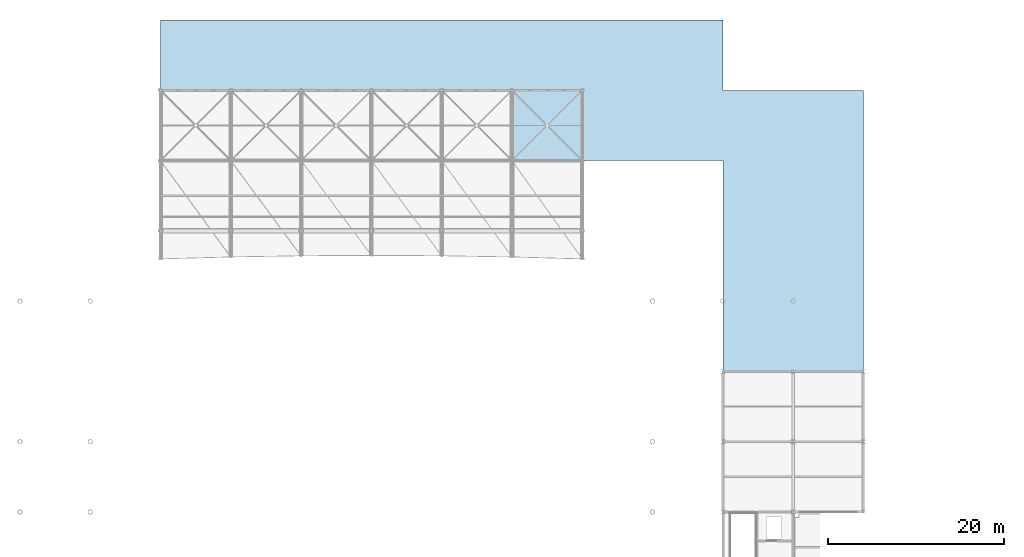
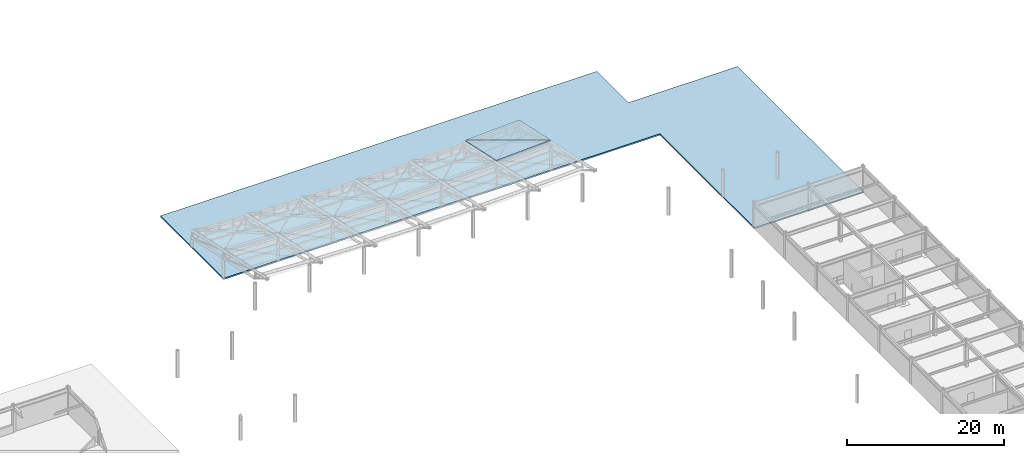
# One storey, part 32 of 54: 3 slabs.
"""IFC4 building model written with IfcOpenShell, lengths in metres."""

from ifc_helpers import new_model, si_unit, direction, frame, origin, place, context, subcontext, project, spatial, polyline, outline, extrude, material, layer, layer_set, type_object, element, save


model = new_model("IFC4")

# Units and contexts
model_context = context("Model", 3, precision=1e-05, world=origin(), true_north=direction((0.0, 1.0)))
body_context = subcontext(model_context, "Body", "Model", "MODEL_VIEW")
ifc_project = project(units=[si_unit("LENGTHUNIT", "METRE"), si_unit("AREAUNIT", "SQUARE_METRE"), si_unit("VOLUMEUNIT", "CUBIC_METRE"), si_unit("PLANEANGLEUNIT", "RADIAN"), si_unit("MASSUNIT", "GRAM", prefix="KILO")], contexts=[model_context])

# Site, building, storey
site_placement = place(None, origin())
site = spatial("IfcSite", under=ifc_project, at=site_placement, CompositionType="ELEMENT")
building_placement = place(site_placement, origin())
building = spatial("IfcBuilding", under=site, at=building_placement, Name="Haebicheon Civic Stadium", CompositionType="ELEMENT")
storey_placement = place(building_placement, frame((0.0, 0.0, 22.800048828125)))
storey = spatial("IfcBuildingStorey", under=building, at=storey_placement, Name="L06", CompositionType="ELEMENT", Elevation=22.800048828125)

# Slabs
ifc_material_1 = material(Name="White painted steel SM490", Category="steel")
ifc_layer_1 = layer(ifc_material_1, 0.159912109375, Name="White painted steel SM490")
ifc_layer_set_1 = layer_set([ifc_layer_1], Name="White painted steel SM490")
slab_type_1 = type_object("IfcSlabType", Name="SLB-CAN-160", PredefinedType="ROOF", material=ifc_layer_set_1)
slab_1_placement = place(storey_placement, frame((120.0, 160.0, 2.572998046875), z_axis=(-0.04479820364, 0.209982265232, 0.97667833458), x_axis=(0.0, -0.977659849808, 0.210193287411)))
element("IfcSlab", 1, at=slab_1_placement, inside=storey, type_object=slab_type_1, material=ifc_layer_set_1, Name="CAN-NORTH curled canopy facet 6.BS-A", PredefinedType="ROOF", context=body_context, shape_type="SweptSolid", body=[
    extrude(outline(polyline([(0.0, 0.0), (8.182805094807545, 0.0), (8.259934125808387, 8.008039619130656), (0.0, 0.0)])), origin(), (0.0, 0.0, -1.0), 0.159912109375),
])
slab_2_placement = place(storey_placement, frame((120.0, 160.0, 2.572998046875), z_axis=(-0.04479820364, 0.209982265232, 0.97667833458), x_axis=(0.695375628973, -0.695375628973, 0.181398647353)))
element("IfcSlab", 2, at=slab_2_placement, inside=storey, type_object=slab_type_1, material=ifc_layer_set_1, Name="CAN-NORTH curled canopy facet 6.BS-B", PredefinedType="ROOF", context=body_context, shape_type="SweptSolid", body=[
    extrude(outline(polyline([(0.0, 0.0), (11.504573451643491, -2.7755575615628914e-16), (5.62956806082789, 5.695841542519939), (0.0, 0.0)])), origin(), (0.0, 0.0, -1.0), 0.159912109375),
])
ifc_material_2 = material(Name="Concrete C40/50", Category="concrete")
ifc_layer_2 = layer(ifc_material_2, 0.219970703125, Name="Concrete C40/50")
ifc_layer_set_2 = layer_set([ifc_layer_2], Name="Concrete C40/50")
slab_type_2 = type_object("IfcSlabType", Name="SLB-ROOF-220", PredefinedType="ROOF", material=ifc_layer_set_2)
slab_3_placement = place(storey_placement, frame((0.0, 0.0, -0.219970703125)))
element("IfcSlab", 3, at=slab_3_placement, inside=storey, type_object=slab_type_2, material=ifc_layer_set_2, Name="L06 V2 roof deck slab 1", PredefinedType="ROOF", context=body_context, shape_type="SweptSolid", body=[
    extrude(outline(polyline([(144.0, 152.0), (80.0, 152.0), (80.0, 168.0), (144.0, 168.0), (144.0, 160.0), (160.0, 160.0), (160.0, 128.0), (144.0, 128.0), (144.0, 152.0)])), origin(), (0.0, 0.0, 1.0), 0.219970703125),
])

save(model, "model.ifc")
